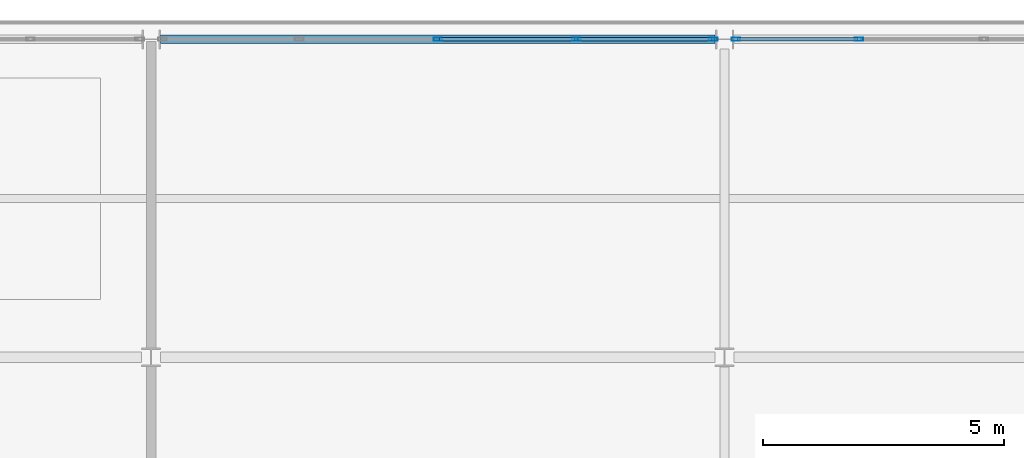
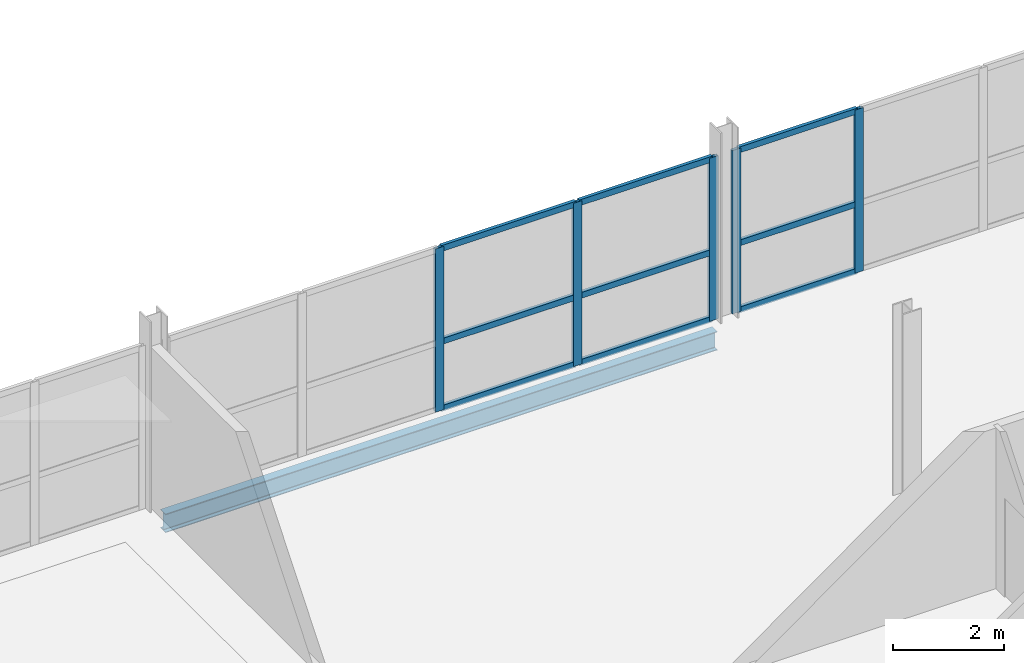
# One storey, part 34 of 60: 14 members, 1 beam, 2 elements without a shape of their own.
"""IFC4 building model written with IfcOpenShell, lengths in metres."""

from ifc_helpers import new_model, si_unit, direction, frame, origin, origin_2d, place, context, subcontext, project, spatial, hollow_rectangle, i_section, extrude, material, layer, layer_set, material_profile, profile_set, type_object, element, aggregate, save


model = new_model("IFC4")

# Units and contexts
model_context = context("Model", 3, precision=1e-05, world=origin(), true_north=direction((0.0, 1.0)))
body_context = subcontext(model_context, "Body", "Model", "MODEL_VIEW")
ifc_project = project(units=[si_unit("LENGTHUNIT", "METRE"), si_unit("AREAUNIT", "SQUARE_METRE"), si_unit("VOLUMEUNIT", "CUBIC_METRE"), si_unit("PLANEANGLEUNIT", "RADIAN"), si_unit("MASSUNIT", "GRAM", prefix="KILO")], contexts=[model_context])

# Site, building, storey
site_placement = place(None, origin())
site = spatial("IfcSite", under=ifc_project, at=site_placement, CompositionType="ELEMENT")
building_placement = place(site_placement, origin())
building = spatial("IfcBuilding", under=site, at=building_placement, Name="Quillay Park Conservatory", CompositionType="ELEMENT")
storey_placement = place(building_placement, frame((0.0, 0.0, 9.89990234375)))
storey = spatial("IfcBuildingStorey", under=building, at=storey_placement, Name="L02", CompositionType="ELEMENT", Elevation=9.89990234375)

# Curtain wall, members
ifc_material_1 = material(Name="Thermally Broken Anodised Aluminium 6063-T6", Category="aluminium")
ifc_layer = layer(ifc_material_1, 0.179931640625)
ifc_layer_set = layer_set([ifc_layer], Name="UNITISED CURTAIN WALL TOWER (Thermally Broken Anodised Aluminium 6063-T6)")
curtain_wall_type = type_object("IfcCurtainWallType", Name="UNITISED CURTAIN WALL TOWER", PredefinedType="USERDEFINED", material=ifc_layer_set)
curtain_wall_1_placement = place(storey_placement, origin())
curtain_wall_1 = element("IfcCurtainWall", 1, at=curtain_wall_1_placement, inside=storey, type_object=curtain_wall_type, Name="L02 Unitised Curtain Wall 026", ObjectType="UNITISED CURTAIN WALL", PredefinedType="USERDEFINED")
ifc_material_2 = material(Name="Thermally Broken Anodised Aluminium 6063-T6", Category="aluminium")
ifc_material_profile_1 = material_profile(ifc_material_2, hollow_rectangle(XDim=0.070068359375, YDim=0.179931640625, WallThickness=0.00390625, at=origin_2d()), Name="AL70x180x4")
ifc_profile_set_1 = profile_set([ifc_material_profile_1], Name="Thermally Broken Anodised Aluminium 6063-T6")
member_type_1 = type_object("IfcMemberType", Name="CURTAIN WALL MULLION 70 X180", PredefinedType="MULLION", material=ifc_profile_set_1)
member_1_placement = place(storey_placement, frame((13.800048828125, 113.39990234375, 0.0), z_axis=(0.0, 0.0, 1.0), x_axis=(0.0, 1.0, 0.0)))
member_1 = element("IfcMember", 2, at=member_1_placement, type_object=member_type_1, Name="CW-T1 mullion 3", PredefinedType="MULLION", context=body_context, shape_type="SweptSolid", body=[
    extrude(hollow_rectangle(XDim=0.070068359375, YDim=0.179931640625, WallThickness=0.00390625, at=origin_2d()), origin(), (0.0, 0.0, 1.0), 3.59912109375),
])
member_2_placement = place(storey_placement, frame((16.675048828125, 113.39990234375, 0.0), z_axis=(0.0, 0.0, 1.0), x_axis=(0.0, 1.0, 0.0)))
member_2 = element("IfcMember", 3, at=member_2_placement, type_object=member_type_1, Name="CW-T1 mullion 4", PredefinedType="MULLION", context=body_context, shape_type="SweptSolid", body=[
    extrude(hollow_rectangle(XDim=0.070068359375, YDim=0.179931640625, WallThickness=0.00390625, at=origin_2d()), origin(), (0.0, 0.0, 1.0), 3.59912109375),
])
member_3_placement = place(storey_placement, frame((19.514892578125, 113.39990234375, 0.0), z_axis=(0.0, 0.0, 1.0), x_axis=(0.0, 1.0, 0.0)))
member_3 = element("IfcMember", 4, at=member_3_placement, type_object=member_type_1, Name="CW-T1 mullion 5", PredefinedType="MULLION", context=body_context, shape_type="SweptSolid", body=[
    extrude(hollow_rectangle(XDim=0.070068359375, YDim=0.179931640625, WallThickness=0.00390625, at=origin_2d()), origin(), (0.0, 0.0, 1.0), 3.59912109375),
])

curtain_wall_2_placement = place(storey_placement, origin())
curtain_wall_2 = element("IfcCurtainWall", 5, at=curtain_wall_2_placement, inside=storey, type_object=curtain_wall_type, Name="L02 Unitised Curtain Wall 027", ObjectType="UNITISED CURTAIN WALL", PredefinedType="USERDEFINED")
member_4_placement = place(storey_placement, frame((19.985107421875, 113.39990234375, 0.0), z_axis=(0.0, 0.0, 1.0), x_axis=(0.0, 1.0, 0.0)))
member_4 = element("IfcMember", 6, at=member_4_placement, type_object=member_type_1, Name="CW-T1 mullion 1", PredefinedType="MULLION", context=body_context, shape_type="SweptSolid", body=[
    extrude(hollow_rectangle(XDim=0.070068359375, YDim=0.179931640625, WallThickness=0.00390625, at=origin_2d()), origin(), (0.0, 0.0, 1.0), 3.59912109375),
])
member_5_placement = place(storey_placement, frame((22.541748046875, 113.39990234375, 0.0), z_axis=(0.0, 0.0, 1.0), x_axis=(0.0, 1.0, 0.0)))
member_5 = element("IfcMember", 7, at=member_5_placement, type_object=member_type_1, Name="CW-T1 mullion 2", PredefinedType="MULLION", context=body_context, shape_type="SweptSolid", body=[
    extrude(hollow_rectangle(XDim=0.070068359375, YDim=0.179931640625, WallThickness=0.00390625, at=origin_2d()), origin(), (0.0, 0.0, 1.0), 3.59912109375),
])

# Member
ifc_material_3 = material(Name="Thermally Broken Anodised Aluminium 6063-T6", Category="aluminium")
ifc_material_profile_2 = material_profile(ifc_material_3, hollow_rectangle(XDim=0.070068359375, YDim=0.1298828125, WallThickness=0.003173828125, at=origin_2d()), Name="AL70x130x3.2")
ifc_profile_set_2 = profile_set([ifc_material_profile_2], Name="Thermally Broken Anodised Aluminium 6063-T6")
member_type_2 = type_object("IfcMemberType", Name="CURTAIN WALL TRANSOM 70 X130", PredefinedType="USERDEFINED", material=ifc_profile_set_2)
member_6_placement = place(storey_placement, frame((13.8349609375, 113.39990234375, 0.03515625), z_axis=(1.0, 0.0, 0.0), x_axis=(0.0, 1.0, 0.0)))
member_6 = element("IfcMember", 8, at=member_6_placement, type_object=member_type_2, Name="CW-T1 transom 3.1", ObjectType="TRANSOM", PredefinedType="USERDEFINED", context=body_context, shape_type="SweptSolid", body=[
    extrude(hollow_rectangle(XDim=0.070068359375, YDim=0.1298828125, WallThickness=0.003173828125, at=origin_2d()), origin(), (0.0, 0.0, 1.0), 2.804931640625),
])

member_7_placement = place(storey_placement, frame((13.8349609375, 113.39990234375, 1.51171875), z_axis=(1.0, 0.0, 0.0), x_axis=(0.0, 1.0, 0.0)))
member_7 = element("IfcMember", 9, at=member_7_placement, type_object=member_type_2, Name="CW-T1 transom 3.2", ObjectType="TRANSOM", PredefinedType="USERDEFINED", context=body_context, shape_type="SweptSolid", body=[
    extrude(hollow_rectangle(XDim=0.070068359375, YDim=0.1298828125, WallThickness=0.003173828125, at=origin_2d()), origin(), (0.0, 0.0, 1.0), 2.804931640625),
])

member_8_placement = place(storey_placement, frame((13.8349609375, 113.39990234375, 3.564208984375), z_axis=(1.0, 0.0, 0.0), x_axis=(0.0, 1.0, 0.0)))
member_8 = element("IfcMember", 10, at=member_8_placement, type_object=member_type_2, Name="CW-T1 transom 3.3", ObjectType="TRANSOM", PredefinedType="USERDEFINED", context=body_context, shape_type="SweptSolid", body=[
    extrude(hollow_rectangle(XDim=0.070068359375, YDim=0.1298828125, WallThickness=0.003173828125, at=origin_2d()), origin(), (0.0, 0.0, 1.0), 2.804931640625),
])

member_9_placement = place(storey_placement, frame((16.7099609375, 113.39990234375, 0.03515625), z_axis=(1.0, 0.0, 0.0), x_axis=(0.0, 1.0, 0.0)))
member_9 = element("IfcMember", 11, at=member_9_placement, type_object=member_type_2, Name="CW-T1 transom 4.1", ObjectType="TRANSOM", PredefinedType="USERDEFINED", context=body_context, shape_type="SweptSolid", body=[
    extrude(hollow_rectangle(XDim=0.070068359375, YDim=0.1298828125, WallThickness=0.003173828125, at=origin_2d()), origin(), (0.0, 0.0, 1.0), 2.77001953125),
])

member_10_placement = place(storey_placement, frame((16.7099609375, 113.39990234375, 1.51171875), z_axis=(1.0, 0.0, 0.0), x_axis=(0.0, 1.0, 0.0)))
member_10 = element("IfcMember", 12, at=member_10_placement, type_object=member_type_2, Name="CW-T1 transom 4.2", ObjectType="TRANSOM", PredefinedType="USERDEFINED", context=body_context, shape_type="SweptSolid", body=[
    extrude(hollow_rectangle(XDim=0.070068359375, YDim=0.1298828125, WallThickness=0.003173828125, at=origin_2d()), origin(), (0.0, 0.0, 1.0), 2.77001953125),
])

member_11_placement = place(storey_placement, frame((16.7099609375, 113.39990234375, 3.564208984375), z_axis=(1.0, 0.0, 0.0), x_axis=(0.0, 1.0, 0.0)))
member_11 = element("IfcMember", 13, at=member_11_placement, type_object=member_type_2, Name="CW-T1 transom 4.3", ObjectType="TRANSOM", PredefinedType="USERDEFINED", context=body_context, shape_type="SweptSolid", body=[
    extrude(hollow_rectangle(XDim=0.070068359375, YDim=0.1298828125, WallThickness=0.003173828125, at=origin_2d()), origin(), (0.0, 0.0, 1.0), 2.77001953125),
])

aggregate(curtain_wall_1, [member_1, member_2, member_3, member_6, member_7, member_8, member_9, member_10, member_11])

member_12_placement = place(storey_placement, frame((20.02001953125, 113.39990234375, 0.03515625), z_axis=(1.0, 0.0, 0.0), x_axis=(0.0, 1.0, 0.0)))
member_12 = element("IfcMember", 14, at=member_12_placement, type_object=member_type_2, Name="CW-T1 transom 1.1", ObjectType="TRANSOM", PredefinedType="USERDEFINED", context=body_context, shape_type="SweptSolid", body=[
    extrude(hollow_rectangle(XDim=0.070068359375, YDim=0.1298828125, WallThickness=0.003173828125, at=origin_2d()), origin(), (0.0, 0.0, 1.0), 2.486572265625),
])

member_13_placement = place(storey_placement, frame((20.02001953125, 113.39990234375, 1.51171875), z_axis=(1.0, 0.0, 0.0), x_axis=(0.0, 1.0, 0.0)))
member_13 = element("IfcMember", 15, at=member_13_placement, type_object=member_type_2, Name="CW-T1 transom 1.2", ObjectType="TRANSOM", PredefinedType="USERDEFINED", context=body_context, shape_type="SweptSolid", body=[
    extrude(hollow_rectangle(XDim=0.070068359375, YDim=0.1298828125, WallThickness=0.003173828125, at=origin_2d()), origin(), (0.0, 0.0, 1.0), 2.486572265625),
])

member_14_placement = place(storey_placement, frame((20.02001953125, 113.39990234375, 3.564208984375), z_axis=(1.0, 0.0, 0.0), x_axis=(0.0, 1.0, 0.0)))
member_14 = element("IfcMember", 16, at=member_14_placement, type_object=member_type_2, Name="CW-T1 transom 1.3", ObjectType="TRANSOM", PredefinedType="USERDEFINED", context=body_context, shape_type="SweptSolid", body=[
    extrude(hollow_rectangle(XDim=0.070068359375, YDim=0.1298828125, WallThickness=0.003173828125, at=origin_2d()), origin(), (0.0, 0.0, 1.0), 2.486572265625),
])

aggregate(curtain_wall_2, [member_4, member_5, member_12, member_13, member_14])

# Beam
ifc_material_4 = material(Name="Steel ASTM A992 Grade 50", Category="steel")
ifc_material_profile_3 = material_profile(ifc_material_4, i_section(OverallWidth=0.179931640625, OverallDepth=0.4130859375, WebThickness=0.009765625, FlangeThickness=0.01611328125, FilletRadius=0.011962890625, at=origin_2d()), Name="W410x74")
ifc_profile_set_3 = profile_set([ifc_material_profile_3], Name="Steel ASTM A992 Grade 50")
beam_type = type_object("IfcBeamType", Name="PERIMETER SPANDREL BEAM W410 X74", PredefinedType="SPANDREL", material=ifc_profile_set_3)
beam_placement = place(storey_placement, frame((8.04638671875, 113.39990234375, -0.4365234375), z_axis=(1.0, 0.0, 0.0), x_axis=(0.0, 1.0, 0.0)))
element("IfcBeam", 17, at=beam_placement, inside=storey, type_object=beam_type, Name="L02 beam BM-SP-0196", PredefinedType="SPANDREL", context=body_context, shape_type="SweptSolid", body=[
    extrude(i_section(OverallWidth=0.179931640625, OverallDepth=0.4130859375, WebThickness=0.009765625, FlangeThickness=0.01611328125, FilletRadius=0.011962890625, at=origin_2d()), origin(), (0.0, 0.0, 1.0), 11.507080078125),
])

save(model, "model.ifc")
